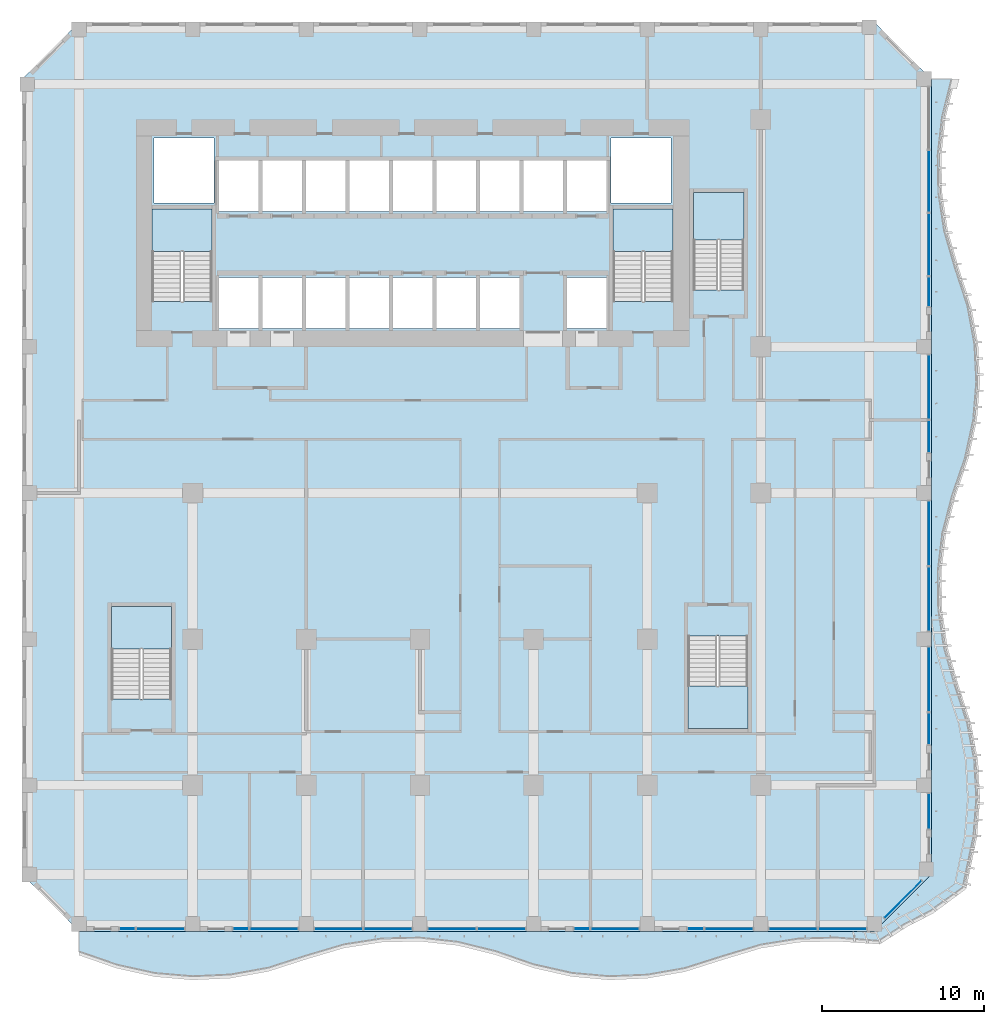
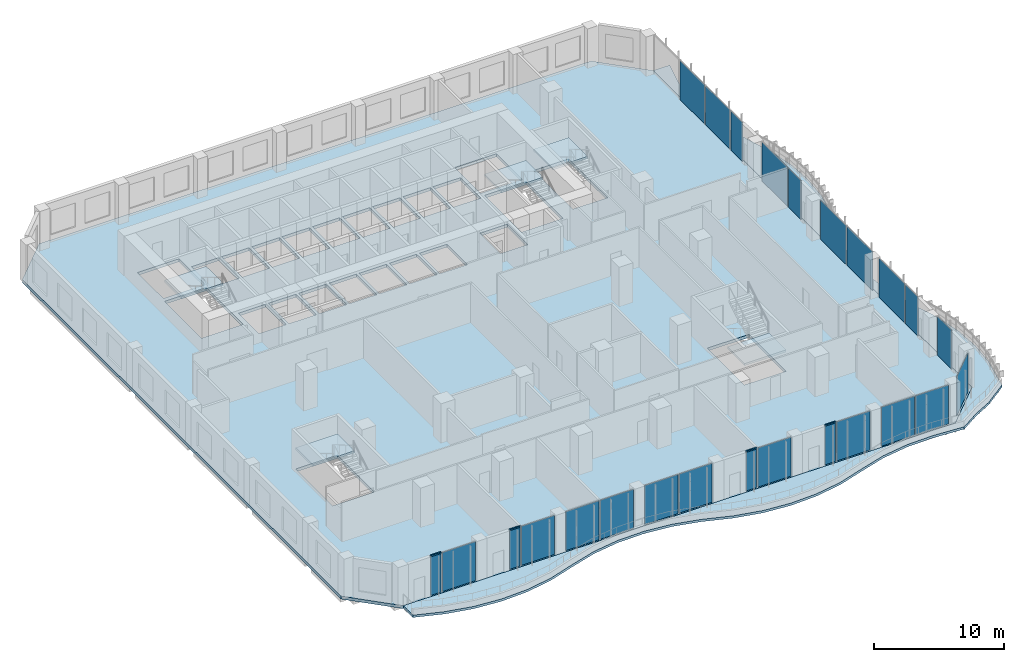
# One storey, part 12 of 28: 25 plates, 7 slabs, 4 members, 30 elements without a shape of their own.
"""IFC4 building model written with IfcOpenShell, lengths in metres."""

from ifc_helpers import new_model, si_unit, direction, frame, origin, origin_2d, place, context, subcontext, project, spatial, polyline, rectangle, outline, extrude, source, transform, mapped, material, layer, layer_set, material_profile, profile_set, type_object, element, aggregate, save


model = new_model("IFC4")

# Units and contexts
model_context = context("Model", 3, precision=1e-05, world=origin(), true_north=direction((0.0, 1.0)))
body_context = subcontext(model_context, "Body", "Model", "MODEL_VIEW")
ifc_project = project(units=[si_unit("LENGTHUNIT", "METRE"), si_unit("AREAUNIT", "SQUARE_METRE"), si_unit("VOLUMEUNIT", "CUBIC_METRE"), si_unit("PLANEANGLEUNIT", "RADIAN"), si_unit("MASSUNIT", "GRAM", prefix="KILO")], contexts=[model_context])

# Site, building, storey
site_placement = place(None, origin())
site = spatial("IfcSite", under=ifc_project, at=site_placement, CompositionType="ELEMENT")
building_placement = place(site_placement, origin())
building = spatial("IfcBuilding", under=site, at=building_placement, Name="Kilnfold Tower and Market Hall", CompositionType="ELEMENT")
storey_placement = place(building_placement, frame((0.0, 0.0, 75.199951171875)))
storey = spatial("IfcBuildingStorey", under=building, at=storey_placement, Name="L17", CompositionType="ELEMENT", Elevation=75.199951171875)

# Curtain wall, member
ifc_material_1 = material(Name="Aluminium and double glazing", Category="aluminium")
curtain_wall_type = type_object("IfcCurtainWallType", Name="CW OF1 VALLEY GLAZING", PredefinedType="NOTDEFINED", material=ifc_material_1)
curtain_wall_1_placement = place(storey_placement, origin())
curtain_wall_1 = element("IfcCurtainWall", 1, at=curtain_wall_1_placement, inside=storey, type_object=curtain_wall_type, Name="Curtain wall CW1 L17 S", PredefinedType="NOTDEFINED")
ifc_material_2 = material(Name="Aluminium", Category="aluminium")
ifc_material_profile = material_profile(ifc_material_2, rectangle(XDim=0.06005859375, YDim=0.139892578125, at=origin_2d()), Name="TRANSOM 60x140")
ifc_profile_set = profile_set([ifc_material_profile], Name="Aluminium")
member_type = type_object("IfcMemberType", Name="TRANSOM 60X140", PredefinedType="USERDEFINED", material=ifc_profile_set)
shared_shape_1 = source(origin(), body_context, "Body", "SweptSolid", [
    extrude(rectangle(XDim=0.06005859375, YDim=0.139892578125, at=origin_2d()), origin(), (0.0, 0.0, 1.0), 0.929931640625),
])
member_1_placement = place(storey_placement, frame((-16.989990234375, -27.85009765625, 3.68994140625), z_axis=(1.0, 0.0, 0.0), x_axis=(0.0, 1.0, 0.0)))
member_1 = element("IfcMember", 2, at=member_1_placement, type_object=member_type, Name="CW1 transom 1.2", ObjectType="TRANSOM", PredefinedType="USERDEFINED", context=body_context, shape_type="MappedRepresentation", body=[
    mapped(shared_shape_1, transform((0.0, 0.0, 0.0))),
])

curtain_wall_2_placement = place(storey_placement, origin())
curtain_wall_2 = element("IfcCurtainWall", 3, at=curtain_wall_2_placement, inside=storey, type_object=curtain_wall_type, Name="Curtain wall CW1 L17 S", PredefinedType="NOTDEFINED")
member_2_placement = place(storey_placement, frame((-9.989990234375, -27.85009765625, 3.68994140625), z_axis=(1.0, 0.0, 0.0), x_axis=(0.0, 1.0, 0.0)))
member_2 = element("IfcMember", 4, at=member_2_placement, type_object=member_type, Name="CW1 transom 1.2", ObjectType="TRANSOM", PredefinedType="USERDEFINED", context=body_context, shape_type="MappedRepresentation", body=[
    mapped(shared_shape_1, transform((0.0, 0.0, 0.0))),
])

curtain_wall_3_placement = place(storey_placement, origin())
curtain_wall_3 = element("IfcCurtainWall", 5, at=curtain_wall_3_placement, inside=storey, type_object=curtain_wall_type, Name="Curtain wall CW1 L17 S", PredefinedType="NOTDEFINED")
member_3_placement = place(storey_placement, frame((11.010009765625, -27.85009765625, 3.68994140625), z_axis=(1.0, 0.0, 0.0), x_axis=(0.0, 1.0, 0.0)))
member_3 = element("IfcMember", 6, at=member_3_placement, type_object=member_type, Name="CW1 transom 1.2", ObjectType="TRANSOM", PredefinedType="USERDEFINED", context=body_context, shape_type="MappedRepresentation", body=[
    mapped(shared_shape_1, transform((0.0, 0.0, 0.0))),
])

curtain_wall_4_placement = place(storey_placement, origin())
curtain_wall_4 = element("IfcCurtainWall", 7, at=curtain_wall_4_placement, inside=storey, type_object=curtain_wall_type, Name="Curtain wall CW1 L17 S", PredefinedType="NOTDEFINED")
member_4_placement = place(storey_placement, frame((18.010009765625, -27.85009765625, 3.68994140625), z_axis=(1.0, 0.0, 0.0), x_axis=(0.0, 1.0, 0.0)))
member_4 = element("IfcMember", 8, at=member_4_placement, type_object=member_type, Name="CW1 transom 1.2", ObjectType="TRANSOM", PredefinedType="USERDEFINED", context=body_context, shape_type="MappedRepresentation", body=[
    mapped(shared_shape_1, transform((0.0, 0.0, 0.0))),
])

# Slab
ifc_material_3 = material(Name="Concrete C45", Category="concrete")
ifc_layer_1 = layer(ifc_material_3, 0.280029296875)
ifc_layer_set_1 = layer_set([ifc_layer_1], Name="Concrete C45")
slab_type_1 = type_object("IfcSlabType", Name="FLOOR SLAB 280", PredefinedType="FLOOR", material=ifc_layer_set_1)
shared_shape_2 = source(origin(), body_context, "Body", "SweptSolid", [
    extrude(outline(polyline([(-19.5, -28.0), (29.5, -28.0), (33.0, -24.5), (33.0, 24.5), (29.5, 28.0), (-19.5, 28.0), (-23.0, 24.5), (-23.0, -24.5), (-19.5, -28.0)]), holes=[polyline([(-13.800537109375, -13.699462890625), (-17.49951171875, -13.699462890625), (-17.49951171875, -8.00048828125), (-13.800537109375, -8.00048828125), (-13.800537109375, -13.699462890625)]), polyline([(-14.99951171875, 10.800537109375), (-14.99951171875, 16.49951171875), (-11.300537109375, 16.49951171875), (-11.300537109375, 10.800537109375), (-14.99951171875, 10.800537109375)]), polyline([(-14.875, 16.875), (-14.875, 20.875), (-11.175048828125, 20.875), (-11.175048828125, 16.875), (-14.875, 16.875)]), polyline([(-10.885009765625, 9.125), (-10.885009765625, 12.27490234375), (-8.455078125, 12.27490234375), (-8.455078125, 9.125), (-10.885009765625, 9.125)]), polyline([(-8.455078125, 16.324951171875), (-10.885009765625, 16.324951171875), (-10.885009765625, 19.47509765625), (-8.455078125, 19.47509765625), (-8.455078125, 16.324951171875)]), polyline([(-8.205078125, 9.125), (-8.205078125, 12.27490234375), (-5.77490234375, 12.27490234375), (-5.77490234375, 9.125), (-8.205078125, 9.125)]), polyline([(-8.205078125, 16.324951171875), (-8.205078125, 19.47509765625), (-5.77490234375, 19.47509765625), (-5.77490234375, 16.324951171875), (-8.205078125, 16.324951171875)]), polyline([(-3.094970703125, 9.125), (-5.52490234375, 9.125), (-5.52490234375, 12.27490234375), (-3.094970703125, 12.27490234375), (-3.094970703125, 9.125)]), polyline([(-5.52490234375, 16.324951171875), (-5.52490234375, 19.47509765625), (-3.094970703125, 19.47509765625), (-3.094970703125, 16.324951171875), (-5.52490234375, 16.324951171875)]), polyline([(-2.844970703125, 9.125), (-2.844970703125, 12.27490234375), (-0.4150390625, 12.27490234375), (-0.4150390625, 9.125), (-2.844970703125, 9.125)]), polyline([(-0.4150390625, 16.324951171875), (-2.844970703125, 16.324951171875), (-2.844970703125, 19.47509765625), (-0.4150390625, 19.47509765625), (-0.4150390625, 16.324951171875)]), polyline([(-0.1650390625, 9.125), (-0.1650390625, 12.27490234375), (2.264892578125, 12.27490234375), (2.264892578125, 9.125), (-0.1650390625, 9.125)]), polyline([(-0.1650390625, 16.324951171875), (-0.1650390625, 19.47509765625), (2.264892578125, 19.47509765625), (2.264892578125, 16.324951171875), (-0.1650390625, 16.324951171875)]), polyline([(2.514892578125, 9.125), (2.514892578125, 12.27490234375), (4.945068359375, 12.27490234375), (4.945068359375, 9.125), (2.514892578125, 9.125)]), polyline([(2.514892578125, 16.324951171875), (2.514892578125, 19.47509765625), (4.945068359375, 19.47509765625), (4.945068359375, 16.324951171875), (2.514892578125, 16.324951171875)]), polyline([(7.625, 9.125), (5.195068359375, 9.125), (5.195068359375, 12.27490234375), (7.625, 12.27490234375), (7.625, 9.125)]), polyline([(5.195068359375, 16.324951171875), (5.195068359375, 19.47509765625), (7.625, 19.47509765625), (7.625, 16.324951171875), (5.195068359375, 16.324951171875)]), polyline([(10.304931640625, 16.324951171875), (7.875, 16.324951171875), (7.875, 19.47509765625), (10.304931640625, 19.47509765625), (10.304931640625, 16.324951171875)]), polyline([(10.554931640625, 9.125), (10.554931640625, 12.27490234375), (12.985107421875, 12.27490234375), (12.985107421875, 9.125), (10.554931640625, 9.125)]), polyline([(10.554931640625, 16.324951171875), (10.554931640625, 19.47509765625), (12.985107421875, 19.47509765625), (12.985107421875, 16.324951171875), (10.554931640625, 16.324951171875)]), polyline([(13.27490234375, 16.875), (13.27490234375, 20.875), (16.97509765625, 20.875), (16.97509765625, 16.875), (13.27490234375, 16.875)]), polyline([(13.400390625, 10.800537109375), (13.400390625, 16.49951171875), (17.099609375, 16.49951171875), (17.099609375, 10.800537109375), (13.400390625, 10.800537109375)]), polyline([(18.00048828125, -9.800537109375), (21.699462890625, -9.800537109375), (21.699462890625, -15.49951171875), (18.00048828125, -15.49951171875), (18.00048828125, -9.800537109375)]), polyline([(21.449462890625, 11.50048828125), (18.3505859375, 11.50048828125), (18.3505859375, 17.49951171875), (21.449462890625, 17.49951171875), (21.449462890625, 11.50048828125)])]), origin(), (0.0, 0.0, 1.0), 0.280029296875),
])
slab_1_placement = place(storey_placement, frame((0.0, 0.0, -0.280029296875)))
element("IfcSlab", 9, at=slab_1_placement, inside=storey, type_object=slab_type_1, Name="Floor slab L17", PredefinedType="FLOOR", context=body_context, shape_type="MappedRepresentation", body=[
    mapped(shared_shape_2, transform((0.0, 0.0, 0.0))),
])

# Plate
ifc_material_4 = material(Name="Double glazed unit")
ifc_layer_2 = layer(ifc_material_4, 0.031982421875)
ifc_layer_set_2 = layer_set([ifc_layer_2], Name="Double glazed unit")
plate_type = type_object("IfcPlateType", Name="GLAZING PANEL 32", PredefinedType="CURTAIN_PANEL", material=ifc_layer_set_2)
shared_shape_3 = source(origin(), body_context, "Body", "SweptSolid", [
    extrude(rectangle(XDim=0.929931640625, YDim=0.031982421875, at=origin_2d()), origin(), (0.0, 0.0, 1.0), 3.659912109375),
])
plate_1_placement = place(storey_placement, frame((-16.52490234375, -27.85009765625, 0.0), z_axis=(0.0, 0.0, 1.0), x_axis=(1.0, 0.0, 0.0)))
plate_1 = element("IfcPlate", 10, at=plate_1_placement, type_object=plate_type, Name="CW1 panel 1.1", PredefinedType="CURTAIN_PANEL", context=body_context, shape_type="MappedRepresentation", body=[
    mapped(shared_shape_3, transform((0.0, 0.0, 0.0))),
])

aggregate(curtain_wall_1, [member_1, plate_1])

plate_2_placement = place(storey_placement, frame((-9.52490234375, -27.85009765625, 0.0), z_axis=(0.0, 0.0, 1.0), x_axis=(1.0, 0.0, 0.0)))
plate_2 = element("IfcPlate", 11, at=plate_2_placement, type_object=plate_type, Name="CW1 panel 1.1", PredefinedType="CURTAIN_PANEL", context=body_context, shape_type="MappedRepresentation", body=[
    mapped(shared_shape_3, transform((0.0, 0.0, 0.0))),
])

aggregate(curtain_wall_2, [member_2, plate_2])

plate_3_placement = place(storey_placement, frame((11.47509765625, -27.85009765625, 0.0), z_axis=(0.0, 0.0, 1.0), x_axis=(1.0, 0.0, 0.0)))
plate_3 = element("IfcPlate", 12, at=plate_3_placement, type_object=plate_type, Name="CW1 panel 1.1", PredefinedType="CURTAIN_PANEL", context=body_context, shape_type="MappedRepresentation", body=[
    mapped(shared_shape_3, transform((0.0, 0.0, 0.0))),
])

aggregate(curtain_wall_3, [member_3, plate_3])

plate_4_placement = place(storey_placement, frame((18.47509765625, -27.85009765625, 0.0), z_axis=(0.0, 0.0, 1.0), x_axis=(1.0, 0.0, 0.0)))
plate_4 = element("IfcPlate", 13, at=plate_4_placement, type_object=plate_type, Name="CW1 panel 1.1", PredefinedType="CURTAIN_PANEL", context=body_context, shape_type="MappedRepresentation", body=[
    mapped(shared_shape_3, transform((0.0, 0.0, 0.0))),
])

aggregate(curtain_wall_4, [member_4, plate_4])

# Curtain wall, plate
curtain_wall_5_placement = place(storey_placement, origin())
curtain_wall_5 = element("IfcCurtainWall", 14, at=curtain_wall_5_placement, inside=storey, type_object=curtain_wall_type, Name="Curtain wall CW1 L17 S", PredefinedType="NOTDEFINED")
shared_shape_4 = source(origin(), body_context, "Body", "SweptSolid", [
    extrude(rectangle(XDim=2.929931640625, YDim=0.031982421875, at=origin_2d()), origin(), (0.0, 0.0, 1.0), 3.659912109375),
])
plate_5_placement = place(storey_placement, frame((-14.47509765625, -27.85009765625, 0.0), z_axis=(0.0, 0.0, 1.0), x_axis=(1.0, 0.0, 0.0)))
plate_5 = element("IfcPlate", 15, at=plate_5_placement, type_object=plate_type, Name="CW1 panel 1.1", PredefinedType="CURTAIN_PANEL", context=body_context, shape_type="MappedRepresentation", body=[
    mapped(shared_shape_4, transform((0.0, 0.0, 0.0))),
])
aggregate(curtain_wall_5, [plate_5])

curtain_wall_6_placement = place(storey_placement, origin())
curtain_wall_6 = element("IfcCurtainWall", 16, at=curtain_wall_6_placement, inside=storey, type_object=curtain_wall_type, Name="Curtain wall CW1 L17 S", PredefinedType="NOTDEFINED")
plate_6_placement = place(storey_placement, frame((-7.47509765625, -27.85009765625, 0.0), z_axis=(0.0, 0.0, 1.0), x_axis=(1.0, 0.0, 0.0)))
plate_6 = element("IfcPlate", 17, at=plate_6_placement, type_object=plate_type, Name="CW1 panel 1.1", PredefinedType="CURTAIN_PANEL", context=body_context, shape_type="MappedRepresentation", body=[
    mapped(shared_shape_4, transform((0.0, 0.0, 0.0))),
])
aggregate(curtain_wall_6, [plate_6])

curtain_wall_7_placement = place(storey_placement, origin())
curtain_wall_7 = element("IfcCurtainWall", 18, at=curtain_wall_7_placement, inside=storey, type_object=curtain_wall_type, Name="Curtain wall CW1 L17 S", PredefinedType="NOTDEFINED")
plate_7_placement = place(storey_placement, frame((-3.52490234375, -27.85009765625, 0.0), z_axis=(0.0, 0.0, 1.0), x_axis=(1.0, 0.0, 0.0)))
plate_7 = element("IfcPlate", 19, at=plate_7_placement, type_object=plate_type, Name="CW1 panel 1.1", PredefinedType="CURTAIN_PANEL", context=body_context, shape_type="MappedRepresentation", body=[
    mapped(shared_shape_4, transform((0.0, 0.0, 0.0))),
])
aggregate(curtain_wall_7, [plate_7])

curtain_wall_8_placement = place(storey_placement, origin())
curtain_wall_8 = element("IfcCurtainWall", 20, at=curtain_wall_8_placement, inside=storey, type_object=curtain_wall_type, Name="Curtain wall CW1 L17 S", PredefinedType="NOTDEFINED")
plate_8_placement = place(storey_placement, frame((-0.47509765625, -27.85009765625, 0.0), z_axis=(0.0, 0.0, 1.0), x_axis=(1.0, 0.0, 0.0)))
plate_8 = element("IfcPlate", 21, at=plate_8_placement, type_object=plate_type, Name="CW1 panel 1.1", PredefinedType="CURTAIN_PANEL", context=body_context, shape_type="MappedRepresentation", body=[
    mapped(shared_shape_4, transform((0.0, 0.0, 0.0))),
])
aggregate(curtain_wall_8, [plate_8])

curtain_wall_9_placement = place(storey_placement, origin())
curtain_wall_9 = element("IfcCurtainWall", 22, at=curtain_wall_9_placement, inside=storey, type_object=curtain_wall_type, Name="Curtain wall CW1 L17 S", PredefinedType="NOTDEFINED")
plate_9_placement = place(storey_placement, frame((3.47509765625, -27.85009765625, 0.0), z_axis=(0.0, 0.0, 1.0), x_axis=(1.0, 0.0, 0.0)))
plate_9 = element("IfcPlate", 23, at=plate_9_placement, type_object=plate_type, Name="CW1 panel 1.1", PredefinedType="CURTAIN_PANEL", context=body_context, shape_type="MappedRepresentation", body=[
    mapped(shared_shape_4, transform((0.0, 0.0, 0.0))),
])
aggregate(curtain_wall_9, [plate_9])

curtain_wall_10_placement = place(storey_placement, origin())
curtain_wall_10 = element("IfcCurtainWall", 24, at=curtain_wall_10_placement, inside=storey, type_object=curtain_wall_type, Name="Curtain wall CW1 L17 S", PredefinedType="NOTDEFINED")
plate_10_placement = place(storey_placement, frame((6.52490234375, -27.85009765625, 0.0), z_axis=(0.0, 0.0, 1.0), x_axis=(1.0, 0.0, 0.0)))
plate_10 = element("IfcPlate", 25, at=plate_10_placement, type_object=plate_type, Name="CW1 panel 1.1", PredefinedType="CURTAIN_PANEL", context=body_context, shape_type="MappedRepresentation", body=[
    mapped(shared_shape_4, transform((0.0, 0.0, 0.0))),
])
aggregate(curtain_wall_10, [plate_10])

curtain_wall_11_placement = place(storey_placement, origin())
curtain_wall_11 = element("IfcCurtainWall", 26, at=curtain_wall_11_placement, inside=storey, type_object=curtain_wall_type, Name="Curtain wall CW1 L17 S", PredefinedType="NOTDEFINED")
plate_11_placement = place(storey_placement, frame((13.52490234375, -27.85009765625, 0.0), z_axis=(0.0, 0.0, 1.0), x_axis=(1.0, 0.0, 0.0)))
plate_11 = element("IfcPlate", 27, at=plate_11_placement, type_object=plate_type, Name="CW1 panel 1.1", PredefinedType="CURTAIN_PANEL", context=body_context, shape_type="MappedRepresentation", body=[
    mapped(shared_shape_4, transform((0.0, 0.0, 0.0))),
])
aggregate(curtain_wall_11, [plate_11])

curtain_wall_12_placement = place(storey_placement, origin())
curtain_wall_12 = element("IfcCurtainWall", 28, at=curtain_wall_12_placement, inside=storey, type_object=curtain_wall_type, Name="Curtain wall CW1 L17 S", PredefinedType="NOTDEFINED")
plate_12_placement = place(storey_placement, frame((20.52490234375, -27.85009765625, 0.0), z_axis=(0.0, 0.0, 1.0), x_axis=(1.0, 0.0, 0.0)))
plate_12 = element("IfcPlate", 29, at=plate_12_placement, type_object=plate_type, Name="CW1 panel 1.1", PredefinedType="CURTAIN_PANEL", context=body_context, shape_type="MappedRepresentation", body=[
    mapped(shared_shape_4, transform((0.0, 0.0, 0.0))),
])
aggregate(curtain_wall_12, [plate_12])

curtain_wall_13_placement = place(storey_placement, origin())
curtain_wall_13 = element("IfcCurtainWall", 30, at=curtain_wall_13_placement, inside=storey, type_object=curtain_wall_type, Name="Curtain wall CW1 L17 S", PredefinedType="NOTDEFINED")
plate_13_placement = place(storey_placement, frame((24.47509765625, -27.85009765625, 0.0), z_axis=(0.0, 0.0, 1.0), x_axis=(1.0, 0.0, 0.0)))
plate_13 = element("IfcPlate", 31, at=plate_13_placement, type_object=plate_type, Name="CW1 panel 1.1", PredefinedType="CURTAIN_PANEL", context=body_context, shape_type="MappedRepresentation", body=[
    mapped(shared_shape_4, transform((0.0, 0.0, 0.0))),
])
aggregate(curtain_wall_13, [plate_13])

curtain_wall_14_placement = place(storey_placement, origin())
curtain_wall_14 = element("IfcCurtainWall", 32, at=curtain_wall_14_placement, inside=storey, type_object=curtain_wall_type, Name="Curtain wall CW1 L17 S", PredefinedType="NOTDEFINED")
plate_14_placement = place(storey_placement, frame((27.52490234375, -27.85009765625, 0.0), z_axis=(0.0, 0.0, 1.0), x_axis=(1.0, 0.0, 0.0)))
plate_14 = element("IfcPlate", 33, at=plate_14_placement, type_object=plate_type, Name="CW1 panel 1.1", PredefinedType="CURTAIN_PANEL", context=body_context, shape_type="MappedRepresentation", body=[
    mapped(shared_shape_4, transform((0.0, 0.0, 0.0))),
])
aggregate(curtain_wall_14, [plate_14])

curtain_wall_15_placement = place(storey_placement, origin())
curtain_wall_15 = element("IfcCurtainWall", 34, at=curtain_wall_15_placement, inside=storey, type_object=curtain_wall_type, Name="Curtain wall CW1 L17 E", PredefinedType="NOTDEFINED")
shared_shape_5 = source(origin(), body_context, "Body", "SweptSolid", [
    extrude(rectangle(XDim=2.161865234375, YDim=0.031982421875, at=origin_2d()), origin(), (0.0, 0.0, 1.0), 3.659912109375),
])
plate_15_placement = place(storey_placement, frame((32.85009765625, -20.5908203125, 0.0), z_axis=(0.0, 0.0, 1.0), x_axis=(0.0, 1.0, 0.0)))
plate_15 = element("IfcPlate", 35, at=plate_15_placement, type_object=plate_type, Name="CW1 panel 1.1", PredefinedType="CURTAIN_PANEL", context=body_context, shape_type="MappedRepresentation", body=[
    mapped(shared_shape_5, transform((0.0, 0.0, 0.0))),
])
aggregate(curtain_wall_15, [plate_15])

curtain_wall_16_placement = place(storey_placement, origin())
curtain_wall_16 = element("IfcCurtainWall", 36, at=curtain_wall_16_placement, inside=storey, type_object=curtain_wall_type, Name="Curtain wall CW1 L17 E", PredefinedType="NOTDEFINED")
shared_shape_6 = source(origin(), body_context, "Body", "SweptSolid", [
    extrude(rectangle(XDim=3.929931640625, YDim=0.031982421875, at=origin_2d()), origin(), (0.0, 0.0, 1.0), 3.659912109375),
])
plate_16_placement = place(storey_placement, frame((32.85009765625, -12.47509765625, 0.0), z_axis=(0.0, 0.0, 1.0), x_axis=(0.0, 1.0, 0.0)))
plate_16 = element("IfcPlate", 37, at=plate_16_placement, type_object=plate_type, Name="CW1 panel 1.1", PredefinedType="CURTAIN_PANEL", context=body_context, shape_type="MappedRepresentation", body=[
    mapped(shared_shape_6, transform((0.0, 0.0, 0.0))),
])
aggregate(curtain_wall_16, [plate_16])

curtain_wall_17_placement = place(storey_placement, origin())
curtain_wall_17 = element("IfcCurtainWall", 38, at=curtain_wall_17_placement, inside=storey, type_object=curtain_wall_type, Name="Curtain wall CW1 L17 E", PredefinedType="NOTDEFINED")
plate_17_placement = place(storey_placement, frame((32.85009765625, -7.52490234375, 0.0), z_axis=(0.0, 0.0, 1.0), x_axis=(0.0, 1.0, 0.0)))
plate_17 = element("IfcPlate", 39, at=plate_17_placement, type_object=plate_type, Name="CW1 panel 1.1", PredefinedType="CURTAIN_PANEL", context=body_context, shape_type="MappedRepresentation", body=[
    mapped(shared_shape_6, transform((0.0, 0.0, 0.0))),
])
aggregate(curtain_wall_17, [plate_17])

curtain_wall_18_placement = place(storey_placement, origin())
curtain_wall_18 = element("IfcCurtainWall", 40, at=curtain_wall_18_placement, inside=storey, type_object=curtain_wall_type, Name="Curtain wall CW1 L17 E", PredefinedType="NOTDEFINED")
plate_18_placement = place(storey_placement, frame((32.85009765625, -3.47509765625, 0.0), z_axis=(0.0, 0.0, 1.0), x_axis=(0.0, 1.0, 0.0)))
plate_18 = element("IfcPlate", 41, at=plate_18_placement, type_object=plate_type, Name="CW1 panel 1.1", PredefinedType="CURTAIN_PANEL", context=body_context, shape_type="MappedRepresentation", body=[
    mapped(shared_shape_6, transform((0.0, 0.0, 0.0))),
])
aggregate(curtain_wall_18, [plate_18])

curtain_wall_19_placement = place(storey_placement, origin())
curtain_wall_19 = element("IfcCurtainWall", 42, at=curtain_wall_19_placement, inside=storey, type_object=curtain_wall_type, Name="Curtain wall CW1 L17 E", PredefinedType="NOTDEFINED")
plate_19_placement = place(storey_placement, frame((32.85009765625, 5.52490234375, 0.0), z_axis=(0.0, 0.0, 1.0), x_axis=(0.0, 1.0, 0.0)))
plate_19 = element("IfcPlate", 43, at=plate_19_placement, type_object=plate_type, Name="CW1 panel 1.1", PredefinedType="CURTAIN_PANEL", context=body_context, shape_type="MappedRepresentation", body=[
    mapped(shared_shape_6, transform((0.0, 0.0, 0.0))),
])
aggregate(curtain_wall_19, [plate_19])

curtain_wall_20_placement = place(storey_placement, origin())
curtain_wall_20 = element("IfcCurtainWall", 44, at=curtain_wall_20_placement, inside=storey, type_object=curtain_wall_type, Name="Curtain wall CW1 L17 E", PredefinedType="NOTDEFINED")
shared_shape_7 = source(origin(), body_context, "Body", "SweptSolid", [
    extrude(rectangle(XDim=1.929931640625, YDim=0.031982421875, at=origin_2d()), origin(), (0.0, 0.0, 1.0), 3.659912109375),
])
plate_20_placement = place(storey_placement, frame((32.85009765625, -15.52490234375, 0.0), z_axis=(0.0, 0.0, 1.0), x_axis=(0.0, 1.0, 0.0)))
plate_20 = element("IfcPlate", 45, at=plate_20_placement, type_object=plate_type, Name="CW1 panel 1.1", PredefinedType="CURTAIN_PANEL", context=body_context, shape_type="MappedRepresentation", body=[
    mapped(shared_shape_7, transform((0.0, 0.0, 0.0))),
])
aggregate(curtain_wall_20, [plate_20])

curtain_wall_21_placement = place(storey_placement, origin())
curtain_wall_21 = element("IfcCurtainWall", 46, at=curtain_wall_21_placement, inside=storey, type_object=curtain_wall_type, Name="Curtain wall CW1 L17 E", PredefinedType="NOTDEFINED")
plate_21_placement = place(storey_placement, frame((32.85009765625, 2.47509765625, 0.0), z_axis=(0.0, 0.0, 1.0), x_axis=(0.0, 1.0, 0.0)))
plate_21 = element("IfcPlate", 47, at=plate_21_placement, type_object=plate_type, Name="CW1 panel 1.1", PredefinedType="CURTAIN_PANEL", context=body_context, shape_type="MappedRepresentation", body=[
    mapped(shared_shape_7, transform((0.0, 0.0, 0.0))),
])
aggregate(curtain_wall_21, [plate_21])

curtain_wall_22_placement = place(storey_placement, origin())
curtain_wall_22 = element("IfcCurtainWall", 48, at=curtain_wall_22_placement, inside=storey, type_object=curtain_wall_type, Name="Curtain wall CW1 L17 E", PredefinedType="NOTDEFINED")
shared_shape_8 = source(origin(), body_context, "Body", "SweptSolid", [
    extrude(rectangle(XDim=3.780029296875, YDim=0.031982421875, at=origin_2d()), origin(), (0.0, 0.0, 1.0), 3.659912109375),
])
plate_22_placement = place(storey_placement, frame((32.85009765625, 14.300048828125, 0.0), z_axis=(0.0, 0.0, 1.0), x_axis=(0.0, 1.0, 0.0)))
plate_22 = element("IfcPlate", 49, at=plate_22_placement, type_object=plate_type, Name="CW1 panel 1.1", PredefinedType="CURTAIN_PANEL", context=body_context, shape_type="MappedRepresentation", body=[
    mapped(shared_shape_8, transform((0.0, 0.0, 0.0))),
])
aggregate(curtain_wall_22, [plate_22])

curtain_wall_23_placement = place(storey_placement, origin())
curtain_wall_23 = element("IfcCurtainWall", 50, at=curtain_wall_23_placement, inside=storey, type_object=curtain_wall_type, Name="Curtain wall CW1 L17 E", PredefinedType="NOTDEFINED")
plate_23_placement = place(storey_placement, frame((32.85009765625, 18.199951171875, 0.0), z_axis=(0.0, 0.0, 1.0), x_axis=(0.0, 1.0, 0.0)))
plate_23 = element("IfcPlate", 51, at=plate_23_placement, type_object=plate_type, Name="CW1 panel 1.1", PredefinedType="CURTAIN_PANEL", context=body_context, shape_type="MappedRepresentation", body=[
    mapped(shared_shape_8, transform((0.0, 0.0, 0.0))),
])
aggregate(curtain_wall_23, [plate_23])

curtain_wall_24_placement = place(storey_placement, origin())
curtain_wall_24 = element("IfcCurtainWall", 52, at=curtain_wall_24_placement, inside=storey, type_object=curtain_wall_type, Name="Curtain wall CW1 L17 E", PredefinedType="NOTDEFINED")
shared_shape_9 = source(origin(), body_context, "Body", "SweptSolid", [
    extrude(rectangle(XDim=1.780029296875, YDim=0.031982421875, at=origin_2d()), origin(), (0.0, 0.0, 1.0), 3.659912109375),
])
plate_24_placement = place(storey_placement, frame((32.85009765625, 11.39990234375, 0.0), z_axis=(0.0, 0.0, 1.0), x_axis=(0.0, 1.0, 0.0)))
plate_24 = element("IfcPlate", 53, at=plate_24_placement, type_object=plate_type, Name="CW1 panel 1.1", PredefinedType="CURTAIN_PANEL", context=body_context, shape_type="MappedRepresentation", body=[
    mapped(shared_shape_9, transform((0.0, 0.0, 0.0))),
])
aggregate(curtain_wall_24, [plate_24])

curtain_wall_25_placement = place(storey_placement, origin())
curtain_wall_25 = element("IfcCurtainWall", 54, at=curtain_wall_25_placement, inside=storey, type_object=curtain_wall_type, Name="Curtain wall CW1 L17 SE", PredefinedType="NOTDEFINED")
shared_shape_10 = source(origin(), body_context, "Body", "SweptSolid", [
    extrude(rectangle(XDim=3.23876953125, YDim=0.031982421875, at=origin_2d()), origin(), (0.0, 0.0, 1.0), 3.659912109375),
])
plate_25_placement = place(storey_placement, frame((31.25634765625, -26.031494140625, 0.0), z_axis=(0.0, 0.0, 1.0), x_axis=(0.707121667181, 0.707091894879, 0.0)))
plate_25 = element("IfcPlate", 55, at=plate_25_placement, type_object=plate_type, Name="CW1 panel 1.1", PredefinedType="CURTAIN_PANEL", context=body_context, shape_type="MappedRepresentation", body=[
    mapped(shared_shape_10, transform((0.0, 0.0, 0.0))),
])
aggregate(curtain_wall_25, [plate_25])

# Slab
ifc_material_5 = material(Name="Concrete C40/50", Category="concrete")
ifc_layer_3 = layer(ifc_material_5, 0.219970703125)
ifc_layer_set_3 = layer_set([ifc_layer_3], Name="Concrete C40/50")
slab_type_2 = type_object("IfcSlabType", Name="BALCONY SLAB 220", PredefinedType="FLOOR", material=ifc_layer_set_3)
shared_shape_11 = source(origin(), body_context, "Body", "SweptSolid", [
    extrude(outline(polyline([(-19.5, -28.0), (29.5, -28.0), (33.0, -24.5), (33.0, 24.5), (34.473388671875, 24.5), (33.885986328125, 22.166748046875), (33.6201171875, 19.833251953125), (33.661865234375, 17.5), (34.01318359375, 15.166748046875), (34.693359375, 12.833251953125), (35.453369140625, 10.5), (35.8818359375, 8.166748046875), (35.997802734375, 5.833251953125), (35.807373046875, 3.5), (35.300048828125, 1.166748046875), (34.49658203125, -1.166748046875), (33.898681640625, -3.5), (33.623779296875, -5.833251953125), (33.656005859375, -8.166748046875), (33.997802734375, -10.5), (34.66748046875, -12.833251953125), (35.435302734375, -15.166748046875), (35.87353515625, -17.5), (35.998779296875, -19.833251953125), (35.817626953125, -22.166748046875), (35.143798828125, -25.387939453125), (33.08056640625, -26.9140625), (31.534423828125, -27.701171875), (29.829345703125, -28.79541015625), (27.166748046875, -28.614013671875), (24.833251953125, -28.67431640625), (22.5, -29.044677734375), (20.166748046875, -29.74609375), (17.833251953125, -30.488525390625), (15.5, -30.897705078125), (13.166748046875, -30.9951171875), (10.833251953125, -30.78564453125), (8.5, -30.258544921875), (6.166748046875, -29.450439453125), (3.833251953125, -28.873291015625), (1.5, -28.616943359375), (-0.833251953125, -28.66796875), (-3.166748046875, -29.02880859375), (-5.5, -29.719482421875), (-7.833251953125, -30.47119140625), (-10.166748046875, -30.889892578125), (-12.5, -30.99658203125), (-14.833251953125, -30.796630859375), (-17.166748046875, -30.279541015625), (-19.5, -29.473388671875), (-19.5, -28.0)])), origin(), (0.0, 0.0, 1.0), 0.219970703125),
])
slab_2_placement = place(storey_placement, frame((0.0, 0.0, -0.219970703125)))
element("IfcSlab", 56, at=slab_2_placement, inside=storey, type_object=slab_type_2, Name="Balcony slab L17", PredefinedType="FLOOR", context=body_context, shape_type="MappedRepresentation", body=[
    mapped(shared_shape_11, transform((0.0, 0.0, 0.0))),
])

# Stair, slab
ifc_material_6 = material(Name="Concrete C40/50", Category="concrete")
stair_type_1 = type_object("IfcStairType", Name="CORE STAIR 1800", PredefinedType="HALF_TURN_STAIR", material=ifc_material_6)
stair_1_placement = place(storey_placement, origin())
stair_1 = element("IfcStair", 57, at=stair_1_placement, inside=storey, type_object=stair_type_1, Name="L17 ST1", PredefinedType="HALF_TURN_STAIR")
ifc_material_7 = material(Name="Concrete C40/50", Category="concrete")
ifc_layer_4 = layer(ifc_material_7, 0.199951171875)
ifc_layer_set_4 = layer_set([ifc_layer_4], Name="Concrete C40/50")
slab_type_3 = type_object("IfcSlabType", Name="CORE STAIR LANDING 200", PredefinedType="LANDING", material=ifc_layer_set_4)
shared_shape_12 = source(origin(), body_context, "Body", "SweptSolid", [
    extrude(outline(polyline([(-11.300048828125, 13.8798828125), (-11.300048828125, 16.5), (-15.0, 16.5), (-15.0, 13.8798828125), (-11.300048828125, 13.8798828125)])), origin(), (0.0, 0.0, 1.0), 0.199951171875),
])
slab_3_placement = place(storey_placement, frame((0.0, 0.0, 1.800048828125)))
slab_3 = element("IfcSlab", 58, at=slab_3_placement, type_object=slab_type_3, Name="ST1 landing 1", PredefinedType="LANDING", context=body_context, shape_type="MappedRepresentation", body=[
    mapped(shared_shape_12, transform((0.0, 0.0, 0.0))),
])
aggregate(stair_1, [slab_3])

stair_2_placement = place(storey_placement, origin())
stair_2 = element("IfcStair", 59, at=stair_2_placement, inside=storey, type_object=stair_type_1, Name="L17 ST2", PredefinedType="HALF_TURN_STAIR")
shared_shape_13 = source(origin(), body_context, "Body", "SweptSolid", [
    extrude(outline(polyline([(17.10009765625, 13.8798828125), (17.10009765625, 16.5), (13.39990234375, 16.5), (13.39990234375, 13.8798828125), (17.10009765625, 13.8798828125)])), origin(), (0.0, 0.0, 1.0), 0.199951171875),
])
slab_4_placement = place(storey_placement, frame((0.0, 0.0, 1.800048828125)))
slab_4 = element("IfcSlab", 60, at=slab_4_placement, type_object=slab_type_3, Name="ST2 landing 1", PredefinedType="LANDING", context=body_context, shape_type="MappedRepresentation", body=[
    mapped(shared_shape_13, transform((0.0, 0.0, 0.0))),
])
aggregate(stair_2, [slab_4])

stair_3_placement = place(storey_placement, origin())
stair_3 = element("IfcStair", 61, at=stair_3_placement, inside=storey, type_object=stair_type_1, Name="L17 ST3", PredefinedType="HALF_TURN_STAIR")
shared_shape_14 = source(origin(), body_context, "Body", "SweptSolid", [
    extrude(outline(polyline([(-13.800048828125, -10.6201171875), (-13.800048828125, -8.0), (-17.5, -8.0), (-17.5, -10.6201171875), (-13.800048828125, -10.6201171875)])), origin(), (0.0, 0.0, 1.0), 0.199951171875),
])
slab_5_placement = place(storey_placement, frame((0.0, 0.0, 1.800048828125)))
slab_5 = element("IfcSlab", 62, at=slab_5_placement, type_object=slab_type_3, Name="ST3 landing 1", PredefinedType="LANDING", context=body_context, shape_type="MappedRepresentation", body=[
    mapped(shared_shape_14, transform((0.0, 0.0, 0.0))),
])
aggregate(stair_3, [slab_5])

stair_4_placement = place(storey_placement, origin())
stair_4 = element("IfcStair", 63, at=stair_4_placement, inside=storey, type_object=stair_type_1, Name="L17 ST4", PredefinedType="HALF_TURN_STAIR")
shared_shape_15 = source(origin(), body_context, "Body", "SweptSolid", [
    extrude(outline(polyline([(18.0, -12.8798828125), (18.0, -15.5), (21.699951171875, -15.5), (21.699951171875, -12.8798828125), (18.0, -12.8798828125)])), origin(), (0.0, 0.0, 1.0), 0.199951171875),
])
slab_6_placement = place(storey_placement, frame((0.0, 0.0, 1.800048828125)))
slab_6 = element("IfcSlab", 64, at=slab_6_placement, type_object=slab_type_3, Name="ST4 landing 1", PredefinedType="LANDING", context=body_context, shape_type="MappedRepresentation", body=[
    mapped(shared_shape_15, transform((0.0, 0.0, 0.0))),
])
aggregate(stair_4, [slab_6])

ifc_material_8 = material(Name="Concrete C40/50", Category="concrete")
stair_type_2 = type_object("IfcStairType", Name="CORE STAIR 1500", PredefinedType="HALF_TURN_STAIR", material=ifc_material_8)
stair_5_placement = place(storey_placement, origin())
stair_5 = element("IfcStair", 65, at=stair_5_placement, inside=storey, type_object=stair_type_2, Name="L17 ST5", PredefinedType="HALF_TURN_STAIR")
shared_shape_16 = source(origin(), body_context, "Body", "SweptSolid", [
    extrude(outline(polyline([(21.449951171875, 14.580078125), (21.449951171875, 17.5), (18.35009765625, 17.5), (18.35009765625, 14.580078125), (21.449951171875, 14.580078125)])), origin(), (0.0, 0.0, 1.0), 0.199951171875),
])
slab_7_placement = place(storey_placement, frame((0.0, 0.0, 1.800048828125)))
slab_7 = element("IfcSlab", 66, at=slab_7_placement, type_object=slab_type_3, Name="ST5 landing 1", PredefinedType="LANDING", context=body_context, shape_type="MappedRepresentation", body=[
    mapped(shared_shape_16, transform((0.0, 0.0, 0.0))),
])
aggregate(stair_5, [slab_7])

save(model, "model.ifc")
